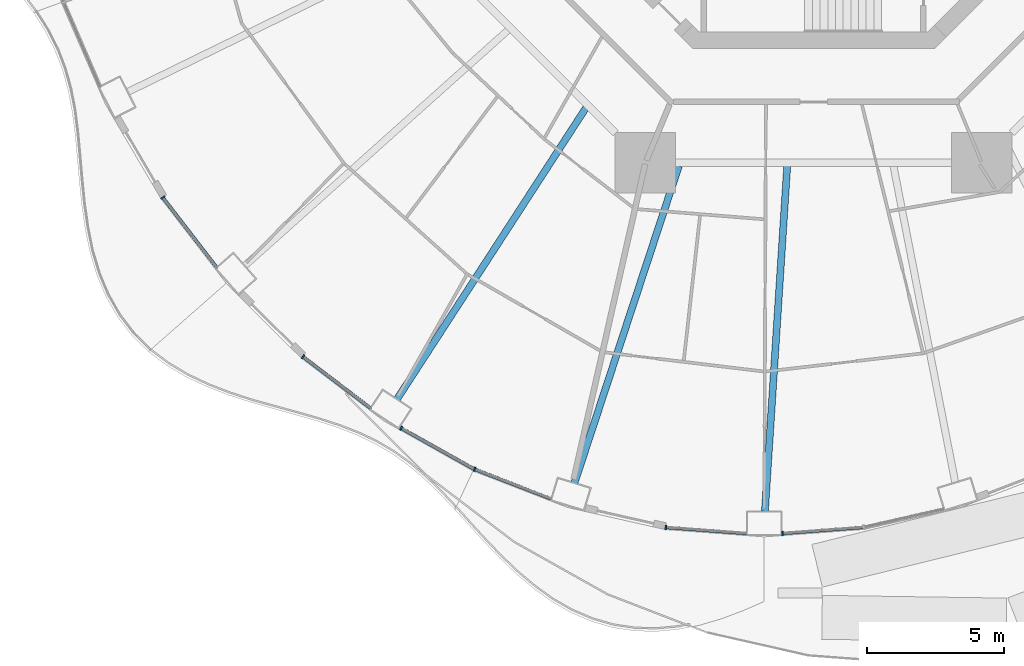
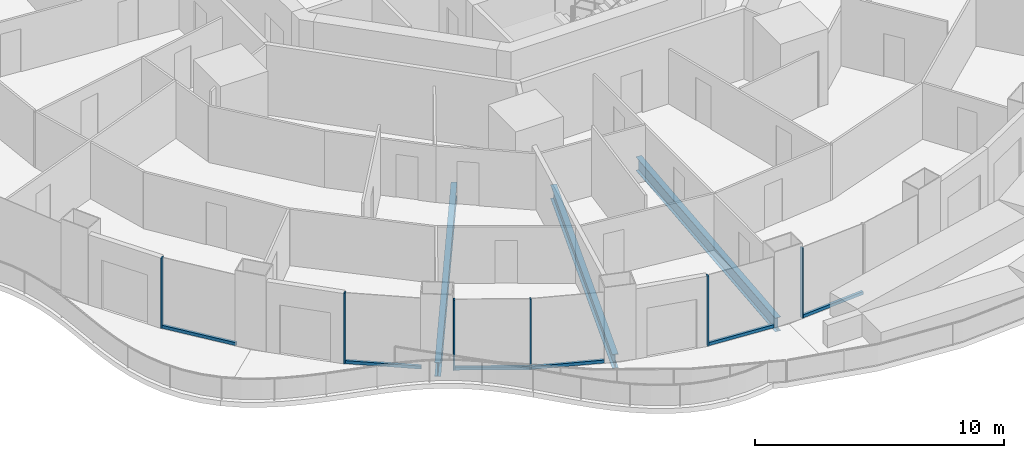
# One storey, part 2 of 22: 12 members, 3 beams, 6 elements without a shape of their own.
"""IFC4 building model written with IfcOpenShell, lengths in metres."""

from ifc_helpers import new_model, si_unit, direction, frame, origin, origin_2d, place, context, subcontext, project, spatial, rectangle, i_section, extrude, material, layer, layer_set, material_profile, profile_set, type_object, element, aggregate, save


model = new_model("IFC4")

# Units and contexts
model_context = context("Model", 3, precision=1e-05, world=origin(), true_north=direction((0.0, 1.0)))
body_context = subcontext(model_context, "Body", "Model", "MODEL_VIEW")
ifc_project = project(units=[si_unit("LENGTHUNIT", "METRE"), si_unit("AREAUNIT", "SQUARE_METRE"), si_unit("VOLUMEUNIT", "CUBIC_METRE"), si_unit("PLANEANGLEUNIT", "RADIAN"), si_unit("MASSUNIT", "GRAM", prefix="KILO")], contexts=[model_context])

# Site, building, storey
site_placement = place(None, origin())
site = spatial("IfcSite", under=ifc_project, at=site_placement, CompositionType="ELEMENT")
building_placement = place(site_placement, origin())
building = spatial("IfcBuilding", under=site, at=building_placement, Name="Nagisa Residences", CompositionType="ELEMENT")
storey_placement = place(building_placement, frame((0.0, 0.0, 73.300048828125)))
storey = spatial("IfcBuildingStorey", under=building, at=storey_placement, Name="L17", CompositionType="ELEMENT", Elevation=73.300048828125)

# Curtain wall, member
ifc_material_1 = material(Name="Concrete-coloured aluminium curtain wall system", Category="concrete")
ifc_layer = layer(ifc_material_1, 0.159912109375)
ifc_layer_set = layer_set([ifc_layer], Name="CW1 CURTAIN WALL")
curtain_wall_type = type_object("IfcCurtainWallType", Name="CW1 CURTAIN WALL", PredefinedType="NOTDEFINED", material=ifc_layer_set)
curtain_wall_1_placement = place(storey_placement, origin())
curtain_wall_1 = element("IfcCurtainWall", 1, at=curtain_wall_1_placement, inside=storey, type_object=curtain_wall_type, Name="cw:CW1:L17:29", PredefinedType="NOTDEFINED")
ifc_material_2 = material(Name="Concrete-coloured aluminium", Category="concrete")
ifc_material_profile_1 = material_profile(ifc_material_2, rectangle(XDim=0.159912109375, YDim=0.06005859375, at=origin_2d()), Name="CW1 MULLION 160x60")
ifc_profile_set_1 = profile_set([ifc_material_profile_1], Name="Concrete-coloured aluminium")
member_type_1 = type_object("IfcMemberType", Name="CW1 MULLION 160x60", PredefinedType="MULLION", material=ifc_profile_set_1)
member_1_placement = place(storey_placement, frame((-23.690185546875, -16.042236328125, 0.0), z_axis=(0.0, 0.0, 1.0), x_axis=(0.792070340816, 0.610429828235, 0.0)))
member_1 = element("IfcMember", 2, at=member_1_placement, type_object=member_type_1, Name="CW1 mullion", PredefinedType="MULLION", context=body_context, shape_type="SweptSolid", body=[
    extrude(rectangle(XDim=0.159912109375, YDim=0.06005859375, at=origin_2d()), origin(), (0.0, 0.0, 1.0), 3.43994140625),
])

curtain_wall_2_placement = place(storey_placement, origin())
curtain_wall_2 = element("IfcCurtainWall", 3, at=curtain_wall_2_placement, inside=storey, type_object=curtain_wall_type, Name="cw:CW1:L17:31", PredefinedType="NOTDEFINED")
member_2_placement = place(storey_placement, frame((-18.58740234375, -21.83935546875, 0.0), z_axis=(0.0, 0.0, 1.0), x_axis=(0.605255421737, 0.79603132756, 0.0)))
member_2 = element("IfcMember", 4, at=member_2_placement, type_object=member_type_1, Name="CW1 mullion", PredefinedType="MULLION", context=body_context, shape_type="SweptSolid", body=[
    extrude(rectangle(XDim=0.159912109375, YDim=0.06005859375, at=origin_2d()), origin(), (0.0, 0.0, 1.0), 3.43994140625),
])

curtain_wall_3_placement = place(storey_placement, origin())
curtain_wall_3 = element("IfcCurtainWall", 5, at=curtain_wall_3_placement, inside=storey, type_object=curtain_wall_type, Name="cw:CW1:L17:32", PredefinedType="NOTDEFINED")
member_3_placement = place(storey_placement, frame((-15.015380859375, -24.43798828125, 0.0), z_axis=(0.0, 0.0, 1.0), x_axis=(0.489376918501, 0.872072377523, 0.0)))
member_3 = element("IfcMember", 6, at=member_3_placement, type_object=member_type_1, Name="CW1 mullion", PredefinedType="MULLION", context=body_context, shape_type="SweptSolid", body=[
    extrude(rectangle(XDim=0.159912109375, YDim=0.06005859375, at=origin_2d()), origin(), (0.0, 0.0, 1.0), 3.43994140625),
])

curtain_wall_4_placement = place(storey_placement, origin())
curtain_wall_4 = element("IfcCurtainWall", 7, at=curtain_wall_4_placement, inside=storey, type_object=curtain_wall_type, Name="cw:CW1:L17:33", PredefinedType="NOTDEFINED")
member_4_placement = place(storey_placement, frame((-12.341552734375, -25.9345703125, 0.0), z_axis=(0.0, 0.0, 1.0), x_axis=(0.360327770268, 0.932825759707, 0.0)))
member_4 = element("IfcMember", 8, at=member_4_placement, type_object=member_type_1, Name="CW1 mullion", PredefinedType="MULLION", context=body_context, shape_type="SweptSolid", body=[
    extrude(rectangle(XDim=0.159912109375, YDim=0.06005859375, at=origin_2d()), origin(), (0.0, 0.0, 1.0), 3.43994140625),
])

curtain_wall_5_placement = place(storey_placement, origin())
curtain_wall_5 = element("IfcCurtainWall", 9, at=curtain_wall_5_placement, inside=storey, type_object=curtain_wall_type, Name="cw:CW1:L17:35", PredefinedType="NOTDEFINED")
member_5_placement = place(storey_placement, frame((-5.379150390625, -28.050048828125, 0.0), z_axis=(0.0, 0.0, 1.0), x_axis=(0.074377355493, 0.997230168512, 0.0)))
member_5 = element("IfcMember", 10, at=member_5_placement, type_object=member_type_1, Name="CW1 mullion", PredefinedType="MULLION", context=body_context, shape_type="SweptSolid", body=[
    extrude(rectangle(XDim=0.159912109375, YDim=0.06005859375, at=origin_2d()), origin(), (0.0, 0.0, 1.0), 3.43994140625),
])

curtain_wall_6_placement = place(storey_placement, origin())
curtain_wall_6 = element("IfcCurtainWall", 11, at=curtain_wall_6_placement, inside=storey, type_object=curtain_wall_type, Name="cw:CW1:L17:36", PredefinedType="NOTDEFINED")
member_6_placement = place(storey_placement, frame((-1.1279296875, -28.266845703125, 0.0), z_axis=(0.0, 0.0, 1.0), x_axis=(-0.074377355493, 0.997230168512, 0.0)))
member_6 = element("IfcMember", 12, at=member_6_placement, type_object=member_type_1, Name="CW1 mullion", PredefinedType="MULLION", context=body_context, shape_type="SweptSolid", body=[
    extrude(rectangle(XDim=0.159912109375, YDim=0.06005859375, at=origin_2d()), origin(), (0.0, 0.0, 1.0), 3.43994140625),
])

# Member
ifc_material_3 = material(Name="Concrete-coloured aluminium", Category="concrete")
ifc_material_profile_2 = material_profile(ifc_material_3, rectangle(XDim=0.1201171875, YDim=0.14990234375, at=origin_2d()), Name="CW1 TRANSOM 120x150")
ifc_profile_set_2 = profile_set([ifc_material_profile_2], Name="Concrete-coloured aluminium")
member_type_2 = type_object("IfcMemberType", Name="CW1 TRANSOM 120x150", PredefinedType="USERDEFINED", material=ifc_profile_set_2)
member_7_placement = place(storey_placement, frame((-23.70849609375, -16.0185546875, 0.074951171875), z_axis=(0.61041202934, -0.792084057684, 0.0), x_axis=(0.792084057684, 0.61041202934, 0.0)))
member_7 = element("IfcMember", 13, at=member_7_placement, type_object=member_type_2, Name="CW1 transom", ObjectType="TRANSOM", PredefinedType="USERDEFINED", context=body_context, shape_type="SweptSolid", body=[
    extrude(rectangle(XDim=0.1201171875, YDim=0.14990234375, at=origin_2d()), origin(), (0.0, 0.0, 1.0), 3.262939453125),
])

aggregate(curtain_wall_1, [member_1, member_7])

member_8_placement = place(storey_placement, frame((-18.611328125, -21.821044921875, 0.074951171875), z_axis=(0.796028580718, -0.605259034365, 0.0), x_axis=(0.605259034365, 0.796028580718, 0.0)))
member_8 = element("IfcMember", 14, at=member_8_placement, type_object=member_type_2, Name="CW1 transom", ObjectType="TRANSOM", PredefinedType="USERDEFINED", context=body_context, shape_type="SweptSolid", body=[
    extrude(rectangle(XDim=0.1201171875, YDim=0.14990234375, at=origin_2d()), origin(), (0.0, 0.0, 1.0), 3.134033203125),
])

aggregate(curtain_wall_2, [member_2, member_8])

member_9_placement = place(storey_placement, frame((-15.04150390625, -24.42333984375, 0.074951171875), z_axis=(0.872037280335, -0.489439456631, 0.0), x_axis=(0.489439456631, 0.872037280335, 0.0)))
member_9 = element("IfcMember", 15, at=member_9_placement, type_object=member_type_2, Name="CW1 transom", ObjectType="TRANSOM", PredefinedType="USERDEFINED", context=body_context, shape_type="SweptSolid", body=[
    extrude(rectangle(XDim=0.1201171875, YDim=0.14990234375, at=origin_2d()), origin(), (0.0, 0.0, 1.0), 3.07568359375),
])

aggregate(curtain_wall_3, [member_3, member_9])

member_10_placement = place(storey_placement, frame((-12.36962890625, -25.923828125, 0.074951171875), z_axis=(0.932837560624, -0.360297218263, 0.0), x_axis=(0.360297218263, 0.932837560624, 0.0)))
member_10 = element("IfcMember", 16, at=member_10_placement, type_object=member_type_2, Name="CW1 transom", ObjectType="TRANSOM", PredefinedType="USERDEFINED", context=body_context, shape_type="SweptSolid", body=[
    extrude(rectangle(XDim=0.1201171875, YDim=0.14990234375, at=origin_2d()), origin(), (0.0, 0.0, 1.0), 3.027587890625),
])

aggregate(curtain_wall_4, [member_4, member_10])

member_11_placement = place(storey_placement, frame((-5.408935546875, -28.0478515625, 0.074951171875), z_axis=(0.997226174467, -0.074430887117, 0.0), x_axis=(0.074430887117, 0.997226174467, 0.0)))
member_11 = element("IfcMember", 17, at=member_11_placement, type_object=member_type_2, Name="CW1 transom", ObjectType="TRANSOM", PredefinedType="USERDEFINED", context=body_context, shape_type="SweptSolid", body=[
    extrude(rectangle(XDim=0.1201171875, YDim=0.14990234375, at=origin_2d()), origin(), (0.0, 0.0, 1.0), 2.97509765625),
])

aggregate(curtain_wall_5, [member_5, member_11])

member_12_placement = place(storey_placement, frame((-1.15771484375, -28.269287109375, 0.074951171875), z_axis=(0.997226174467, 0.074430887117, 0.0), x_axis=(-0.074430887117, 0.997226174467, 0.0)))
member_12 = element("IfcMember", 18, at=member_12_placement, type_object=member_type_2, Name="CW1 transom", ObjectType="TRANSOM", PredefinedType="USERDEFINED", context=body_context, shape_type="SweptSolid", body=[
    extrude(rectangle(XDim=0.1201171875, YDim=0.14990234375, at=origin_2d()), origin(), (0.0, 0.0, 1.0), 2.97509765625),
])

aggregate(curtain_wall_6, [member_6, member_12])

# Beams
ifc_material_4 = material(Name="Steel ASTM A572 Gr 50", Category="steel")
ifc_material_profile_3 = material_profile(ifc_material_4, i_section(OverallWidth=0.2529296875, OverallDepth=0.677978515625, WebThickness=0.01171875, FlangeThickness=0.016357421875, at=origin_2d()), Name="W690x125")
ifc_profile_set_3 = profile_set([ifc_material_profile_3], Name="Steel ASTM A572 Gr 50")
beam_type = type_object("IfcBeamType", Name="Radial beam W690x125", PredefinedType="BEAM", material=ifc_profile_set_3)
beam_1_placement = place(storey_placement, frame((-15.16357421875, -23.38134765625, -0.59912109375), z_axis=(0.544121648903, 0.839006335611, 0.0), x_axis=(-0.839006335611, 0.544121648903, 0.0)))
element("IfcBeam", 19, at=beam_1_placement, inside=storey, type_object=beam_type, Name="beam:L17:rb17", PredefinedType="BEAM", context=body_context, shape_type="SweptSolid", body=[
    extrude(i_section(OverallWidth=0.2529296875, OverallDepth=0.677978515625, WebThickness=0.01171875, FlangeThickness=0.016357421875, at=origin_2d()), origin(), (0.0, 0.0, 1.0), 12.63818359375),
])
beam_2_placement = place(storey_placement, frame((-8.7041015625, -26.431884765625, -0.59912109375), z_axis=(0.312788454633, 0.94982281645, 0.0), x_axis=(-0.94982281645, 0.312788454633, 0.0)))
element("IfcBeam", 20, at=beam_2_placement, inside=storey, type_object=beam_type, Name="beam:L17:rb18", PredefinedType="BEAM", context=body_context, shape_type="SweptSolid", body=[
    extrude(i_section(OverallWidth=0.2529296875, OverallDepth=0.677978515625, WebThickness=0.01171875, FlangeThickness=0.016357421875, at=origin_2d()), origin(), (0.0, 0.0, 1.0), 12.145751953125),
])
beam_3_placement = place(storey_placement, frame((-1.772216796875, -27.46728515625, -0.59912109375), z_axis=(0.064392860553, 0.997924626167, 0.0), x_axis=(-0.997924626167, 0.064392860553, 0.0)))
element("IfcBeam", 21, at=beam_3_placement, inside=storey, type_object=beam_type, Name="beam:L17:rb19", PredefinedType="BEAM", context=body_context, shape_type="SweptSolid", body=[
    extrude(i_section(OverallWidth=0.2529296875, OverallDepth=0.677978515625, WebThickness=0.01171875, FlangeThickness=0.016357421875, at=origin_2d()), origin(), (0.0, 0.0, 1.0), 12.598876953125),
])

save(model, "model.ifc")
